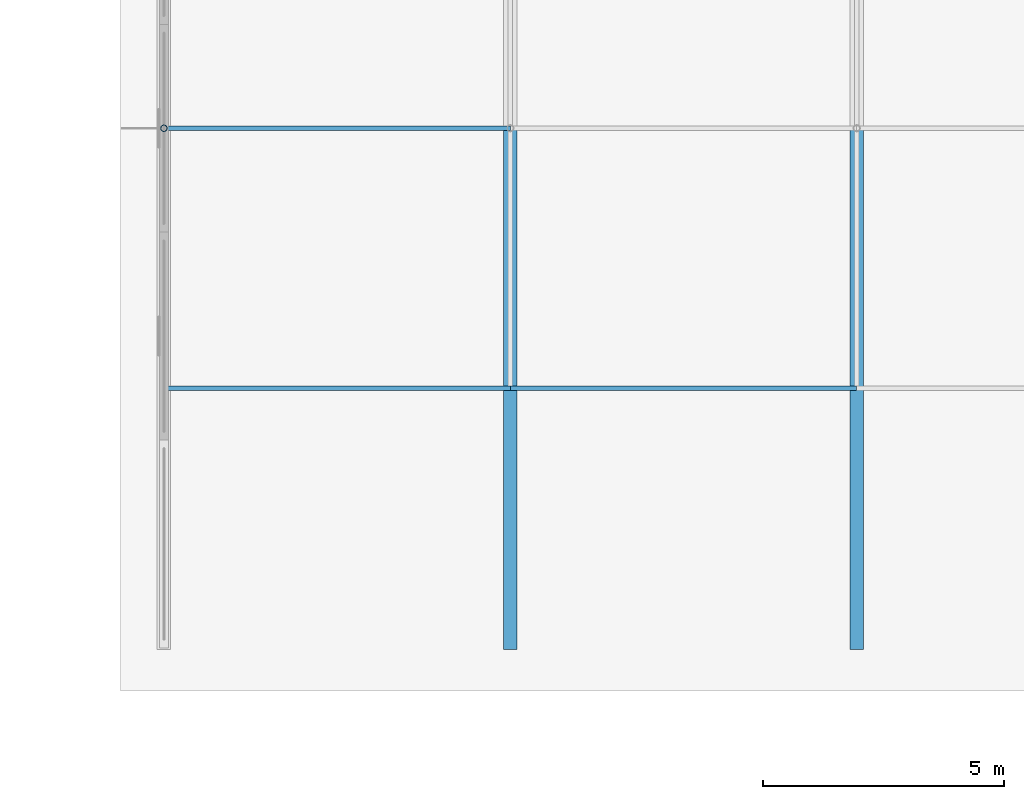
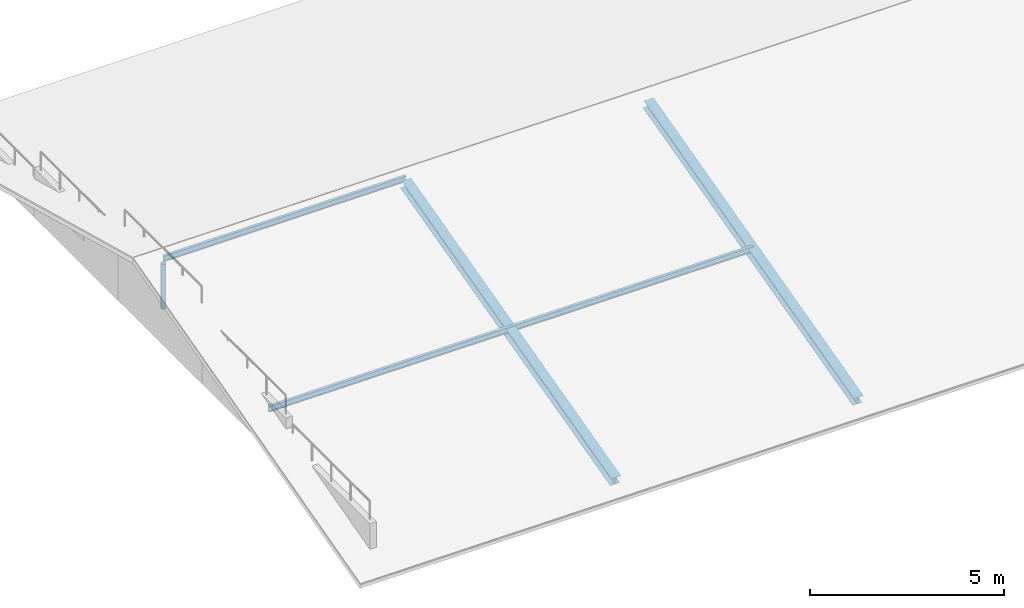
# One storey, part 9 of 22: 6 members.
"""IFC4 building model written with IfcOpenShell, lengths in metres."""

from ifc_helpers import new_model, si_unit, direction, frame, origin, origin_2d, place, context, subcontext, project, spatial, hollow_circle, i_section, extrude, material, material_profile, profile_set, type_object, element, save


model = new_model("IFC4")

# Units and contexts
model_context = context("Model", 3, precision=1e-05, world=origin(), true_north=direction((0.0, 1.0)))
body_context = subcontext(model_context, "Body", "Model", "MODEL_VIEW")
ifc_project = project(units=[si_unit("LENGTHUNIT", "METRE"), si_unit("AREAUNIT", "SQUARE_METRE"), si_unit("VOLUMEUNIT", "CUBIC_METRE"), si_unit("PLANEANGLEUNIT", "RADIAN"), si_unit("MASSUNIT", "GRAM", prefix="KILO"), si_unit("THERMODYNAMICTEMPERATUREUNIT", "KELVIN"), si_unit("POWERUNIT", "WATT")], contexts=[model_context])

# Site, building, storey
site_placement = place(None, origin())
site = spatial("IfcSite", under=ifc_project, at=site_placement, CompositionType="ELEMENT")
building_placement = place(site_placement, origin())
building = spatial("IfcBuilding", under=site, at=building_placement, Name="Tavuni Mirador Residences", CompositionType="ELEMENT")
storey_placement = place(building_placement, frame((0.0, 0.0, 45.449951171875)))
storey = spatial("IfcBuildingStorey", under=building, at=storey_placement, Name="L14", CompositionType="ELEMENT", Elevation=45.449951171875)

# Members
ifc_material = material(Name="Structural steel S355", Category="steel")
ifc_material_profile_1 = material_profile(ifc_material, hollow_circle(Radius=0.06982421875, WallThickness=0.008056640625, at=origin_2d()), Name="CHS 139.7x8.0", Category="steel")
ifc_profile_set_1 = profile_set([ifc_material_profile_1], Name="Structural steel S355")
member_type_1 = type_object("IfcMemberType", Name="MT-BR-CHS139", PredefinedType="BRACE", material=ifc_profile_set_1)
member_placement = place(storey_placement, frame((18.0, 162.0, 1.050048828125), z_axis=(0.0, 0.0, 1.0), x_axis=(1.0, 0.0, 0.0)))
element("IfcMember", 1, at=member_placement, inside=storey, type_object=member_type_1, Name="RKP-BLK-C-00", PredefinedType="BRACE", context=body_context, shape_type="SweptSolid", body=[
    extrude(hollow_circle(Radius=0.06982421875, WallThickness=0.008056640625, at=origin_2d()), origin(), (0.0, 0.0, 1.0), 1.39990234375),
])
ifc_material_profile_2 = material_profile(ifc_material, i_section(OverallWidth=0.280029296875, OverallDepth=0.27001953125, WebThickness=0.008056640625, FlangeThickness=0.012939453125, FilletRadius=0.02392578125, at=origin_2d()), Name="HEA 280", Category="steel")
ifc_profile_set_2 = profile_set([ifc_material_profile_2], Name="Structural steel S355")
member_type_2 = type_object("IfcMemberType", Name="MT-CH-HEA280", PredefinedType="CHORD", material=ifc_profile_set_2)
for number, where, z_axis, x_axis, name in (
    (2, (25.199951171875, 151.199951171875, -0.349853515625), (0.0, 0.968001426323, 0.250944692386), (-1.0, 0.0, 0.0), "RAF-BLK-C-01-S"),
    (3, (32.39990234375, 151.199951171875, -0.349853515625), (0.0, 0.968001426323, 0.250944692386), (-1.0, 0.0, 0.0), "RAF-BLK-C-02-S"),
):
    element("IfcMember", number, at=place(storey_placement, frame(where, z_axis=z_axis, x_axis=x_axis)), inside=storey, type_object=member_type_2, Name=name, PredefinedType="CHORD", context=body_context, shape_type="SweptSolid", body=[
        extrude(i_section(OverallWidth=0.280029296875, OverallDepth=0.27001953125, WebThickness=0.008056640625, FlangeThickness=0.012939453125, FilletRadius=0.02392578125, at=origin_2d()), origin(), (0.0, 0.0, 1.0), 11.156982421875),
    ])
ifc_material_profile_3 = material_profile(ifc_material, i_section(OverallWidth=0.091064453125, OverallDepth=0.179931640625, WebThickness=0.00537109375, FlangeThickness=0.008056640625, FilletRadius=0.009033203125, at=origin_2d()), Name="IPE 180", Category="steel")
ifc_profile_set_3 = profile_set([ifc_material_profile_3], Name="Structural steel S355")
member_type_3 = type_object("IfcMemberType", Name="MT-PR-IPE180", PredefinedType="PURLIN", material=ifc_profile_set_3)
for number, where, z_axis, x_axis, name in (
    (4, (18.0, 156.60009765625, 1.155029296875), (1.0, 0.0, 0.0), (0.0, 1.0, 0.0), "RPUR-BLK-C-25-00"),
    (5, (25.199951171875, 156.60009765625, 1.155029296875), (1.0, 0.0, 0.0), (0.0, 1.0, 0.0), "RPUR-BLK-C-25-01"),
    (6, (18.0, 162.0, 2.60498046875), (1.0, 0.0, 0.0), (0.0, 1.0, 0.0), "RPUR-BLK-C-50-00"),
):
    element("IfcMember", number, at=place(storey_placement, frame(where, z_axis=z_axis, x_axis=x_axis)), inside=storey, type_object=member_type_3, Name=name, PredefinedType="PURLIN", context=body_context, shape_type="SweptSolid", body=[
        extrude(i_section(OverallWidth=0.091064453125, OverallDepth=0.179931640625, WebThickness=0.00537109375, FlangeThickness=0.008056640625, FilletRadius=0.009033203125, at=origin_2d()), origin(), (0.0, 0.0, 1.0), 7.199951171875),
    ])

save(model, "model.ifc")
